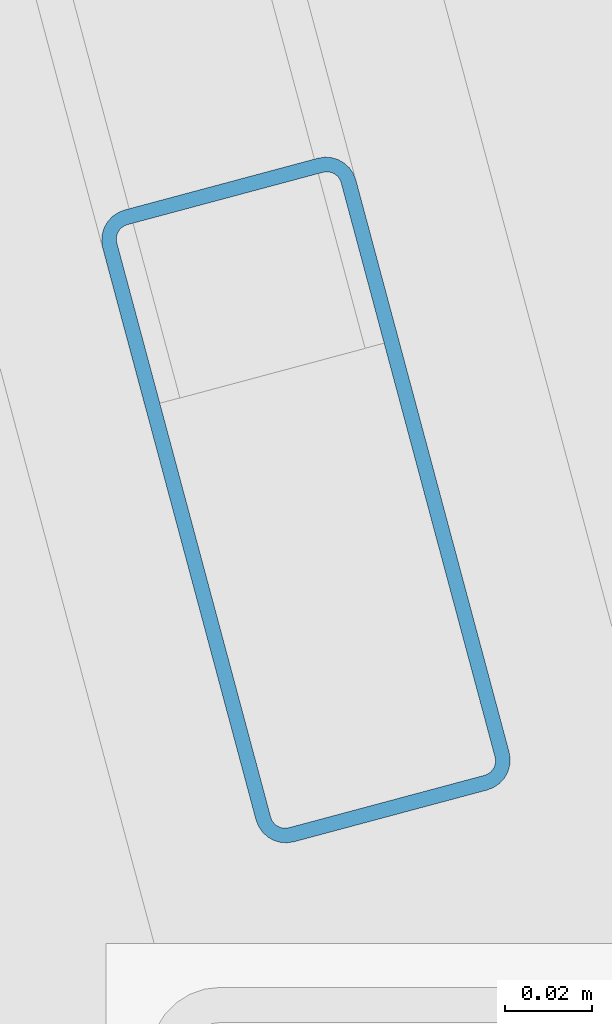
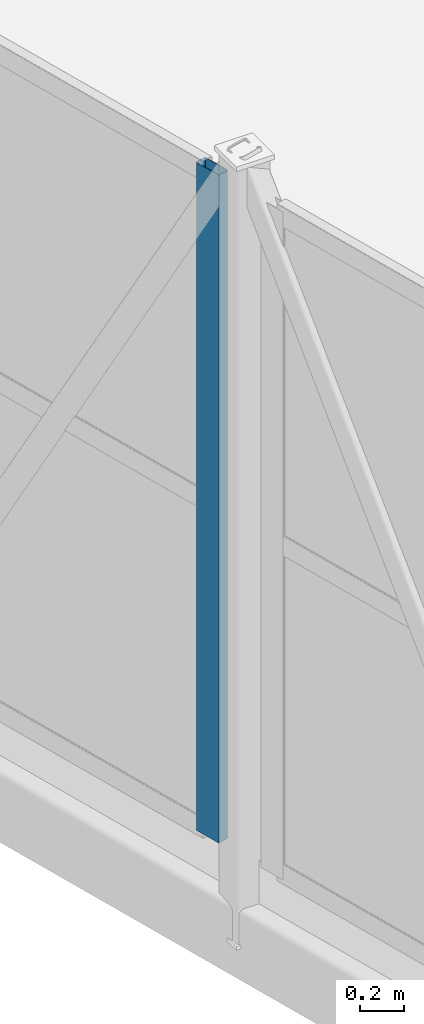
# One storey, part 42 of 127: 1 member, 1 element without a shape of its own.
"""IFC4 building model written with IfcOpenShell, lengths in metres."""

from ifc_helpers import new_model, si_unit, direction, frame, origin, origin_2d, place, context, subcontext, project, spatial, hollow_rectangle, extrude, material, layer, layer_set, material_profile, profile_set, type_object, element, aggregate, save


model = new_model("IFC4")

# Units and contexts
model_context = context("Model", 3, precision=1e-05, world=origin(), true_north=direction((0.0, 1.0)))
body_context = subcontext(model_context, "Body", "Model", "MODEL_VIEW")
ifc_project = project(units=[si_unit("LENGTHUNIT", "METRE"), si_unit("AREAUNIT", "SQUARE_METRE"), si_unit("VOLUMEUNIT", "CUBIC_METRE"), si_unit("PLANEANGLEUNIT", "RADIAN"), si_unit("MASSUNIT", "GRAM", prefix="KILO")], contexts=[model_context])

# Site, building, storey
site_placement = place(None, origin())
site = spatial("IfcSite", under=ifc_project, at=site_placement, CompositionType="ELEMENT")
building_placement = place(site_placement, origin())
building = spatial("IfcBuilding", under=site, at=building_placement, Name="Dunvalen Ferry Terminal", CompositionType="ELEMENT")
storey_placement = place(building_placement, frame((0.0, 0.0, 5.760009765625)))
storey = spatial("IfcBuildingStorey", under=building, at=storey_placement, Name="L01", CompositionType="ELEMENT", Elevation=5.760009765625)

# Curtain wall, member
ifc_material_1 = material(Name="Anodised marine aluminium and solar-control glazing", Category="aluminium")
ifc_layer = layer(ifc_material_1, 0.159912109375, Name="Anodised marine aluminium and solar-control glazing")
ifc_layer_set = layer_set([ifc_layer], Name="Anodised marine aluminium and solar-control glazing")
curtain_wall_type = type_object("IfcCurtainWallType", Name="ENV-CW-SYS-07", PredefinedType="NOTDEFINED", material=ifc_layer_set)
curtain_wall_placement = place(storey_placement, origin())
curtain_wall = element("IfcCurtainWall", 1, at=curtain_wall_placement, inside=storey, type_object=curtain_wall_type, Name="L01 Curtain Wall CW-BRG1-S1-4", PredefinedType="NOTDEFINED")
ifc_material_2 = material(Name="Anodised marine aluminium EN AW-6063 T6", Category="aluminium")
ifc_material_profile = material_profile(ifc_material_2, hollow_rectangle(XDim=0.06005859375, YDim=0.14990234375, WallThickness=0.00341796875, InnerFilletRadius=0.00341796875, OuterFilletRadius=0.007080078125, at=origin_2d()), Name="Anodised marine aluminium EN AW-6063 T6")
ifc_profile_set = profile_set([ifc_material_profile], Name="Anodised marine aluminium EN AW-6063 T6")
member_type = type_object("IfcMemberType", Name="ENV-CW-MUL-3", PredefinedType="MULLION", material=ifc_profile_set)
member_placement = place(storey_placement, frame((28.0166015625, 93.8017578125, 0.0), z_axis=(0.0, 0.0, 1.0), x_axis=(-0.965934620531, -0.258786222315, 0.0)))
member = element("IfcMember", 2, at=member_placement, type_object=member_type, Name="CW-07 mullion 1", PredefinedType="MULLION", context=body_context, shape_type="SweptSolid", body=[
    extrude(hollow_rectangle(XDim=0.06005859375, YDim=0.14990234375, WallThickness=0.00341796875, InnerFilletRadius=0.00341796875, OuterFilletRadius=0.007080078125, at=origin_2d()), origin(), (0.0, 0.0, 1.0), 3.719970703125),
])
aggregate(curtain_wall, [member])

save(model, "model.ifc")
